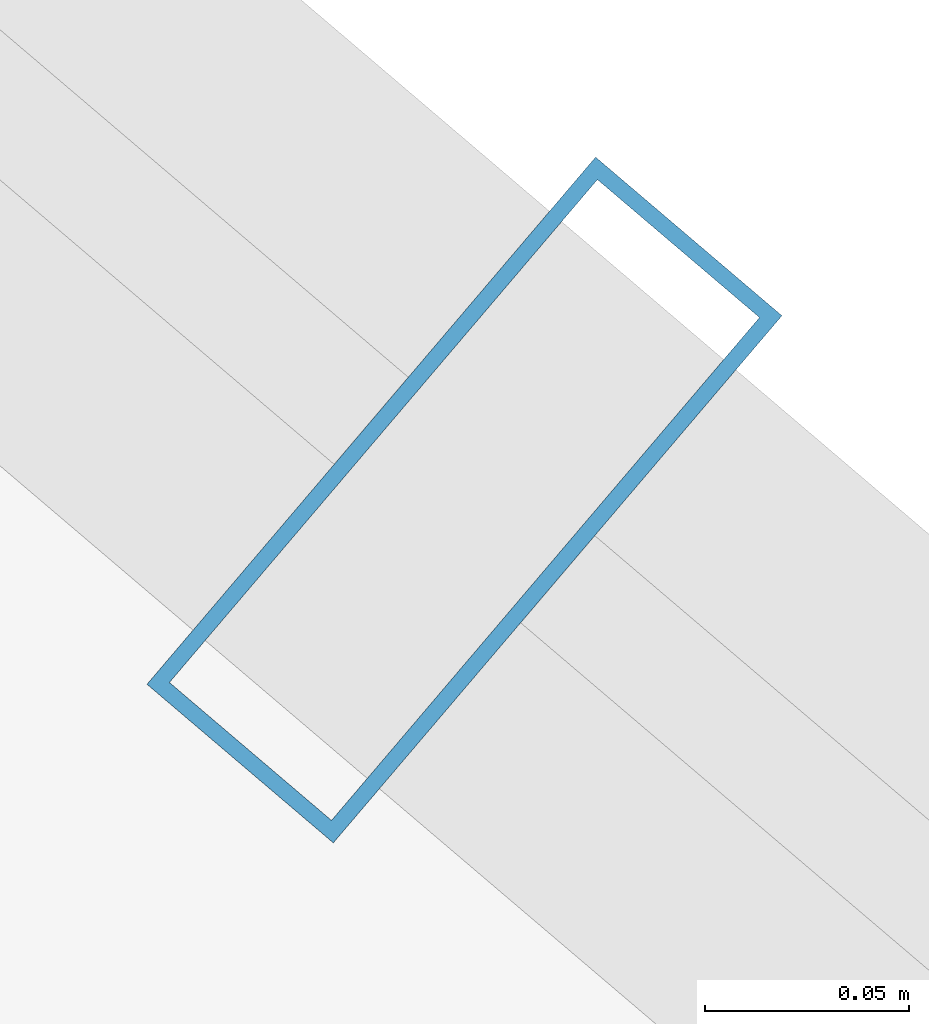
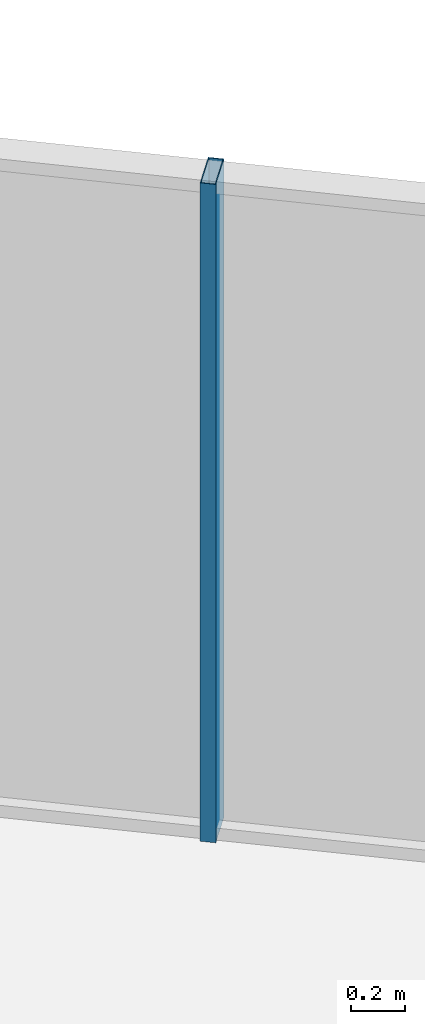
# One storey, part 24 of 33: 1 member, 1 element without a shape of its own.
"""IFC4 building model written with IfcOpenShell, lengths in metres."""

import ifcopenshell
import ifcopenshell.guid

model = None  # the IFC model being written
_history = None  # IfcOwnerHistory: only IFC2X3 demands one
_inside = {}  # id of a spatial element -> (the spatial element, [elements in it])
_under = {}  # id of a project, library or spatial element -> (it, [spatial elements below it])
_declared = {}  # id of a project -> (the project, [libraries it declares])
_typed = {}  # id of a type object -> (the type object, [elements of that type])
_made_of = {}  # id of a material, layer set ... -> (it, [elements and type objects made of it])


def new_model(schema):
    """Start an empty IFC model of exactly this schema.

    Asked for "IFC4X3", IfcOpenShell would pick the latest addendum, in which some entities
    have other attributes; the version numbers below select the first issue.
    IFC2X3 requires an IfcOwnerHistory on every rooted entity: one is made here for all.
    """
    global model, _history
    if schema == "IFC4X3":
        model = ifcopenshell.file(schema_version=(4, 3, 0, 0))
    else:
        model = ifcopenshell.file(schema=schema)
    _inside.clear()
    _under.clear()
    _declared.clear()
    _typed.clear()
    _made_of.clear()
    _history = None
    if model.schema == "IFC2X3":
        org = make("IfcOrganization", Name="unknown")
        user = make(
            "IfcPersonAndOrganization",
            ThePerson=make("IfcPerson", FamilyName="unknown"),
            TheOrganization=org,
        )
        app = make(
            "IfcApplication",
            ApplicationDeveloper=org,
            Version="unknown",
            ApplicationFullName="unknown",
            ApplicationIdentifier="unknown",
        )
        _history = make(
            "IfcOwnerHistory",
            OwningUser=user,
            OwningApplication=app,
            ChangeAction="ADDED",
            CreationDate=0,
        )
    return model


def make(cls, **values):
    """One entity of the class cls with the attributes given. An attribute that is None is left unset."""
    return model.create_entity(
        cls, **{name: value for name, value in values.items() if value is not None}
    )


def rooted(cls, **values):
    """An entity with a GlobalId (a new one), such as an element, a storey or a relation."""
    return make(cls, GlobalId=ifcopenshell.guid.new(), OwnerHistory=_history, **values)


def si_unit(unit_type, name, prefix=None):
    """IfcSIUnit, for example si_unit("LENGTHUNIT", "METRE", prefix="MILLI")."""
    return make("IfcSIUnit", UnitType=unit_type, Prefix=prefix, Name=name)


def assignment(units):
    """IfcUnitAssignment: the units of a project."""
    return None if units is None else make("IfcUnitAssignment", Units=units)


def point(xyz):
    """IfcCartesianPoint."""
    return None if xyz is None else make("IfcCartesianPoint", Coordinates=xyz)


def direction(xyz):
    """IfcDirection."""
    return None if xyz is None else make("IfcDirection", DirectionRatios=xyz)


def frame(location, z_axis=None, x_axis=None):
    """IfcAxis2Placement3D, a coordinate frame: its origin and axes. An axis left out is left unset."""
    return make(
        "IfcAxis2Placement3D",
        Location=point(location),
        Axis=direction(z_axis),
        RefDirection=direction(x_axis),
    )


def frame_2d(location, x_axis=None):
    """IfcAxis2Placement2D, a coordinate frame in the plane: its origin and x axis."""
    return make(
        "IfcAxis2Placement2D", Location=point(location), RefDirection=direction(x_axis)
    )


def origin():
    """The frame at (0, 0, 0) with its axes left unset."""
    return frame((0.0, 0.0, 0.0))


def origin_2d():
    """The frame at (0, 0) in the plane with its x axis left unset."""
    return frame_2d((0.0, 0.0))


def place(relative_to, where):
    """IfcLocalPlacement: puts the frame where relative to a parent placement (None: the world)."""
    return make(
        "IfcLocalPlacement", PlacementRelTo=relative_to, RelativePlacement=where
    )


def context(
    kind, dimensions, precision=None, world=None, true_north=None, identifier=None
):
    """IfcGeometricRepresentationContext, for example the 3D "Model" context."""
    return make(
        "IfcGeometricRepresentationContext",
        ContextIdentifier=identifier,
        ContextType=kind,
        CoordinateSpaceDimension=dimensions,
        Precision=precision,
        WorldCoordinateSystem=world,
        TrueNorth=true_north,
    )


def subcontext(parent, identifier, kind, view, scale=None):
    """IfcGeometricRepresentationSubContext, for example "Body" below "Model"."""
    return make(
        "IfcGeometricRepresentationSubContext",
        ContextIdentifier=identifier,
        ContextType=kind,
        ParentContext=parent,
        TargetScale=scale,
        TargetView=view,
    )


def project(units=None, contexts=None):
    """IfcProject with its units and contexts."""
    return rooted(
        "IfcProject",
        Name="project",
        RepresentationContexts=contexts,
        UnitsInContext=assignment(units),
    )


def spatial(cls, under=None, at=None, **own):
    """A site, building, storey or space (cls), placed at a placement, below another one or the project."""
    s = rooted(cls, ObjectPlacement=at, **own)
    if under is not None:
        _under.setdefault(under.id(), (under, []))[1].append(s)
    return s


def profile(cls, at=None, kind="AREA", **sizes):
    """A parametric profile (cls). Its sizes go by their IFC names, for example OverallWidth=200.0."""
    return make(cls, ProfileType=kind, Position=at, **sizes)


def hollow_rectangle(**sizes):
    """IfcRectangleHollowProfileDef."""
    return profile("IfcRectangleHollowProfileDef", **sizes)


def extrude(swept, where, along, depth):
    """IfcExtrudedAreaSolid: the profile swept, set in the frame where, extruded along a direction by depth."""
    return make(
        "IfcExtrudedAreaSolid",
        SweptArea=swept,
        Position=where,
        ExtrudedDirection=direction(along),
        Depth=depth,
    )


def shape(context_of_items, identifier, shape_type, items):
    """IfcShapeRepresentation: the items that make up one representation, for example the "Body"."""
    return make(
        "IfcShapeRepresentation",
        ContextOfItems=context_of_items,
        RepresentationIdentifier=identifier,
        RepresentationType=shape_type,
        Items=items,
    )


def source(mapping_origin, context_of_items, identifier, shape_type, items):
    """IfcRepresentationMap: a shape defined once, which mapped items show again and again."""
    return make(
        "IfcRepresentationMap",
        MappingOrigin=mapping_origin,
        MappedRepresentation=shape(context_of_items, identifier, shape_type, items),
    )


def transform(
    local_origin,
    x_axis=None,
    y_axis=None,
    z_axis=None,
    scale=None,
    scale2=None,
    scale3=None,
    uniform=True,
):
    """IfcCartesianTransformationOperator3D, or its non-uniform kind. x_axis, y_axis, z_axis: its Axis1, 2, 3."""
    if uniform:
        return make(
            "IfcCartesianTransformationOperator3D",
            Axis1=direction(x_axis),
            Axis2=direction(y_axis),
            LocalOrigin=point(local_origin),
            Scale=scale,
            Axis3=direction(z_axis),
        )
    return make(
        "IfcCartesianTransformationOperator3DnonUniform",
        Axis1=direction(x_axis),
        Axis2=direction(y_axis),
        LocalOrigin=point(local_origin),
        Scale=scale,
        Axis3=direction(z_axis),
        Scale2=scale2,
        Scale3=scale3,
    )


def mapped(mapping_source, mapping_target):
    """IfcMappedItem: shows the shape of a source again, moved by a transform."""
    return make(
        "IfcMappedItem", MappingSource=mapping_source, MappingTarget=mapping_target
    )


def material(Name=None, Category=None):
    """IfcMaterial."""
    return make("IfcMaterial", Name=Name, Category=Category)


def layer(
    of_material, thickness, ventilated=None, Name=None, Category=None, Priority=None
):
    """IfcMaterialLayer: one layer of a wall or slab, of a material (None: an air gap)."""
    return make(
        "IfcMaterialLayer",
        Material=of_material,
        LayerThickness=thickness,
        IsVentilated=ventilated,
        Name=Name,
        Category=Category,
        Priority=Priority,
    )


def layer_set(layers, Name=None):
    """IfcMaterialLayerSet."""
    return make("IfcMaterialLayerSet", MaterialLayers=layers, LayerSetName=Name)


def material_profile(
    of_material, cross_section, Name=None, Category=None, Priority=None
):
    """IfcMaterialProfile: a cross section and its material."""
    return make(
        "IfcMaterialProfile",
        Name=Name,
        Material=of_material,
        Profile=cross_section,
        Priority=Priority,
        Category=Category,
    )


def profile_set(profiles, Name=None, composite=None):
    """IfcMaterialProfileSet."""
    return make(
        "IfcMaterialProfileSet",
        Name=Name,
        MaterialProfiles=profiles,
        CompositeProfile=composite,
    )


def made_of(thing, what):
    """Note that an element or type object is made of a material, layer set ...; save() writes the relation."""
    if what is not None:
        _made_of.setdefault(what.id(), (what, []))[1].append(thing)
    return thing


def type_object(cls, material=None, **own):
    """A type object (cls), such as IfcWallType, which elements share."""
    return made_of(rooted(cls, **own), material)


def element(
    cls,
    number,
    at=None,
    inside=None,
    cuts=None,
    type_object=None,
    material=None,
    context=None,
    identifier="Body",
    shape_type=None,
    held_by="IfcProductDefinitionShape",
    body=None,
    shapes=None,
    **own,
):
    """One element of the class cls, such as IfcWall. Its Tag is "e" and its number.

    at: its placement. inside: the storey or other place that contains it. cuts: it is an
    opening in that element (IfcRelVoidsElement). A single representation is given by context,
    identifier, shape_type and body (its items); several are given by shapes. held_by: the class
    of the entity that holds the representations. save() writes the other relations.
    """
    e = rooted(cls, Tag="e%d" % number, ObjectPlacement=at, **own)
    if body is not None:
        shapes = [shape(context, identifier, shape_type, body)]
    if shapes is not None:
        e.Representation = make(held_by, Representations=shapes)
    if inside is not None:
        _inside.setdefault(inside.id(), (inside, []))[1].append(e)
    if cuts is not None:
        rooted(
            "IfcRelVoidsElement", RelatingBuildingElement=cuts, RelatedOpeningElement=e
        )
    if type_object is not None:
        _typed.setdefault(type_object.id(), (type_object, []))[1].append(e)
    return made_of(e, material)


def aggregate(whole, parts):
    """IfcRelAggregates: a whole, such as a stair, and the parts it consists of."""
    return rooted("IfcRelAggregates", RelatingObject=whole, RelatedObjects=parts)


def save(model, path):
    """Write the relations noted so far, then the file.

    IfcRelAggregates (storeys below a building ...), IfcRelContainedInSpatialStructure (elements
    in a storey), IfcRelDefinesByType, IfcRelAssociatesMaterial and IfcRelDeclares: one each for
    every whole, place, type object, material and project.
    """
    for whole, parts in _under.values():
        aggregate(whole, parts)
    for where, things in _inside.values():
        rooted(
            "IfcRelContainedInSpatialStructure",
            RelatedElements=things,
            RelatingStructure=where,
        )
    for kind, things in _typed.values():
        rooted("IfcRelDefinesByType", RelatedObjects=things, RelatingType=kind)
    for what, things in _made_of.values():
        rooted("IfcRelAssociatesMaterial", RelatedObjects=things, RelatingMaterial=what)
    for by, libraries in _declared.values():
        rooted("IfcRelDeclares", RelatingContext=by, RelatedDefinitions=libraries)
    model.write(path)


model = new_model("IFC4")

# Units and contexts
model_context = context("Model", 3, precision=1e-05, world=origin(), true_north=direction((0.0, 1.0)))
body_context = subcontext(model_context, "Body", "Model", "MODEL_VIEW")
ifc_project = project(units=[si_unit("LENGTHUNIT", "METRE"), si_unit("AREAUNIT", "SQUARE_METRE"), si_unit("VOLUMEUNIT", "CUBIC_METRE"), si_unit("PLANEANGLEUNIT", "RADIAN"), si_unit("MASSUNIT", "GRAM", prefix="KILO")], contexts=[model_context])

# Site, building, storey
site_placement = place(None, origin())
site = spatial("IfcSite", under=ifc_project, at=site_placement, CompositionType="ELEMENT")
building_placement = place(site_placement, origin())
building = spatial("IfcBuilding", under=site, at=building_placement, Name="Veraguas Prism Commons", CompositionType="ELEMENT")
storey_placement = place(building_placement, frame((0.0, 0.0, 92.699951171875)))
storey = spatial("IfcBuildingStorey", under=building, at=storey_placement, Name="L25", CompositionType="ELEMENT", Elevation=92.699951171875)

# Curtain wall, member
ifc_material = material(Name="Anodised aluminium EN AW-6063 T6", Category="aluminium")
ifc_layer = layer(ifc_material, 0.169921875, Name="Unitised Flush Curtain Wall Zone 2", Category="aluminium")
ifc_layer_set = layer_set([ifc_layer], Name="Anodised aluminium EN AW-6063 T6")
curtain_wall_type = type_object("IfcCurtainWallType", Name="Unitised Flush Curtain Wall Zone 2", PredefinedType="NOTDEFINED", material=ifc_layer_set)
curtain_wall_placement = place(storey_placement, origin())
curtain_wall = element("IfcCurtainWall", 1, at=curtain_wall_placement, inside=storey, type_object=curtain_wall_type, Name="Tower Facade Curtain Wall L25-F1", PredefinedType="NOTDEFINED")
ifc_material_profile = material_profile(ifc_material, hollow_rectangle(XDim=0.06005859375, YDim=0.169921875, WallThickness=0.00390625, at=origin_2d()), Name="AL60X170X4")
ifc_profile_set = profile_set([ifc_material_profile], Name="Anodised aluminium EN AW-6063 T6")
member_type = type_object("IfcMemberType", Name="Curtain Wall Mullion Lower AL 60x170x4", PredefinedType="MULLION", material=ifc_profile_set)
shared_shape = source(origin(), body_context, "Body", "SweptSolid", [
    extrude(hollow_rectangle(XDim=0.06005859375, YDim=0.169921875, WallThickness=0.00390625, at=origin_2d()), origin(), (0.0, 0.0, 1.0), 3.0),
])
member_placement = place(storey_placement, frame((36.4326171875, 38.608154296875, 0.0), z_axis=(0.0, 0.0, 1.0), x_axis=(-0.761540569897, 0.648117242789, 0.0)))
member = element("IfcMember", 2, at=member_placement, type_object=member_type, Name="CW-Z2 Mullion 3", PredefinedType="MULLION", context=body_context, shape_type="MappedRepresentation", body=[
    mapped(shared_shape, transform((0.0, 0.0, 0.0), scale=1.0)),
])
aggregate(curtain_wall, [member])

save(model, "model.ifc")
